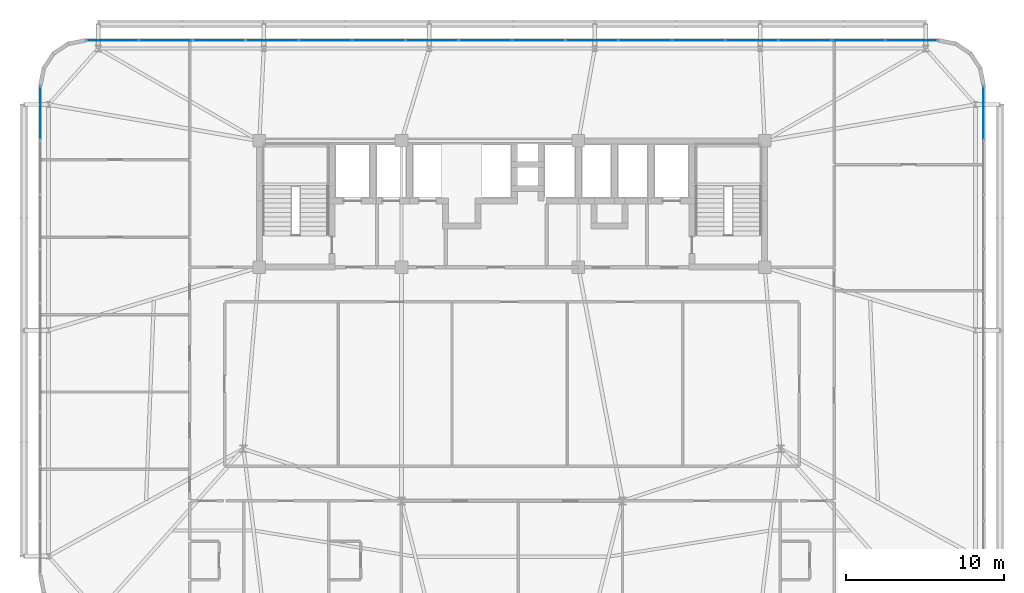
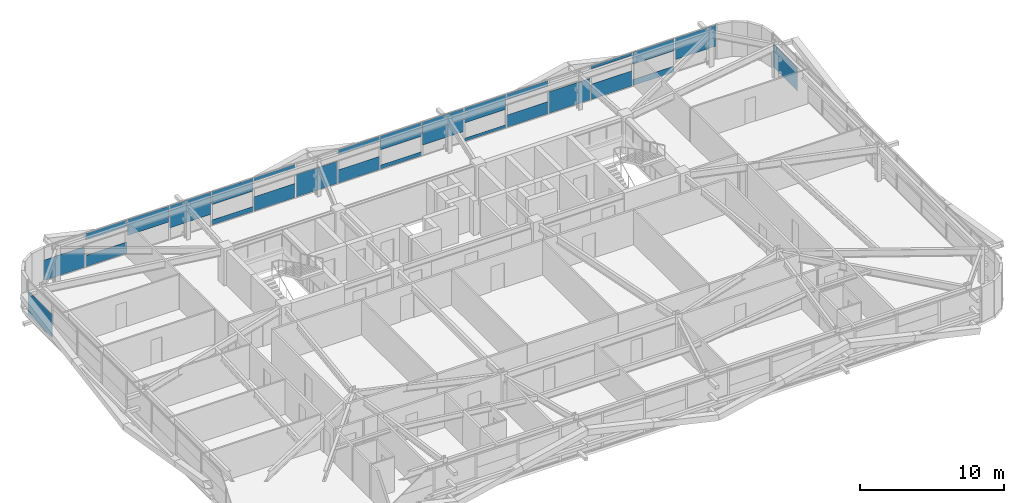
# One storey, part 43 of 58: 27 plates, 3 elements without a shape of their own.
"""IFC4 building model written with IfcOpenShell, lengths in metres."""

from ifc_helpers import new_model, si_unit, direction, frame, origin, origin_2d, place, context, subcontext, project, spatial, rectangle, extrude, source, transform, mapped, material, layer, layer_set, type_object, element, aggregate, save


model = new_model("IFC4")

# Units and contexts
model_context = context("Model", 3, precision=1e-05, world=origin(), true_north=direction((0.0, 1.0)))
body_context = subcontext(model_context, "Body", "Model", "MODEL_VIEW")
ifc_project = project(units=[si_unit("LENGTHUNIT", "METRE"), si_unit("AREAUNIT", "SQUARE_METRE"), si_unit("VOLUMEUNIT", "CUBIC_METRE"), si_unit("PLANEANGLEUNIT", "RADIAN"), si_unit("MASSUNIT", "GRAM", prefix="KILO")], contexts=[model_context])

# Site, building, storey
site_placement = place(None, origin())
site = spatial("IfcSite", under=ifc_project, at=site_placement, CompositionType="ELEMENT")
building_placement = place(site_placement, origin())
building = spatial("IfcBuilding", under=site, at=building_placement, Name="Taldren Reach Tower", CompositionType="ELEMENT")
storey_placement = place(building_placement, frame((0.0, 0.0, 32.550048828125)))
storey = spatial("IfcBuildingStorey", under=building, at=storey_placement, Name="L09", CompositionType="ELEMENT", Elevation=32.550048828125)

# Curtain wall, plates
ifc_material_1 = material(Name="Aluminium and Low-E Glass Unitised System", Category="aluminium")
ifc_layer_1 = layer(ifc_material_1, 0.159912109375)
ifc_layer_set_1 = layer_set([ifc_layer_1], Name="Aluminium and Low-E Glass Unitised System")
curtain_wall_type = type_object("IfcCurtainWallType", Name="CW-SYS-2", PredefinedType="NOTDEFINED", material=ifc_layer_set_1)
curtain_wall_1_placement = place(storey_placement, origin())
curtain_wall_1 = element("IfcCurtainWall", 1, at=curtain_wall_1_placement, inside=storey, type_object=curtain_wall_type, Name="Unitised curtain wall CW-L09-N", PredefinedType="NOTDEFINED")
ifc_material_2 = material(Name="Solar-Control Double Glazed IGU", Category="glass")
ifc_layer_2 = layer(ifc_material_2, 0.031982421875)
ifc_layer_set_2 = layer_set([ifc_layer_2], Name="Solar-Control Double Glazed IGU")
plate_type = type_object("IfcPlateType", Name="CW-PNL-IGU32", PredefinedType="CURTAIN_PANEL", material=ifc_layer_set_2)
shared_shape_1 = source(origin(), body_context, "Body", "SweptSolid", [
    extrude(rectangle(XDim=3.277587890625, YDim=0.031982421875, at=origin_2d()), origin(), (0.0, 0.0, 1.0), 1.73876953125),
])
plate_1_placement = place(storey_placement, frame((9.703857421875, 38.360107421875, 0.054931640625), z_axis=(0.0, 0.0, 1.0), x_axis=(-1.0, 0.0, 0.0)))
plate_1 = element("IfcPlate", 2, at=plate_1_placement, type_object=plate_type, Name="CW-2 panel 16.1 part 1", PredefinedType="CURTAIN_PANEL", context=body_context, shape_type="MappedRepresentation", body=[
    mapped(shared_shape_1, transform((0.0, 0.0, 0.0), scale=1.0)),
])
shared_shape_2 = source(origin(), body_context, "Body", "SweptSolid", [
    extrude(rectangle(XDim=3.31005859375, YDim=0.031982421875, at=origin_2d()), origin(), (0.0, 0.0, 1.0), 0.9560546875),
])
plate_2_placement = place(storey_placement, frame((13.0625, 38.360107421875, 0.054931640625), z_axis=(0.0, 0.0, 1.0), x_axis=(-1.0, 0.0, 0.0)))
plate_2 = element("IfcPlate", 3, at=plate_2_placement, type_object=plate_type, Name="CW-2 panel 15.1 part 1", PredefinedType="CURTAIN_PANEL", context=body_context, shape_type="MappedRepresentation", body=[
    mapped(shared_shape_2, transform((0.0, 0.0, 0.0), scale=1.0)),
])
shared_shape_3 = source(origin(), body_context, "Body", "SweptSolid", [
    extrude(rectangle(XDim=3.31005859375, YDim=0.031982421875, at=origin_2d()), origin(), (0.0, 0.0, 1.0), 0.562744140625),
])
plate_3_placement = place(storey_placement, frame((13.0625, 38.360107421875, 2.31201171875), z_axis=(0.0, 0.0, 1.0), x_axis=(-1.0, 0.0, 0.0)))
plate_3 = element("IfcPlate", 4, at=plate_3_placement, type_object=plate_type, Name="CW-2 panel 15.1 part 2", PredefinedType="CURTAIN_PANEL", context=body_context, shape_type="MappedRepresentation", body=[
    mapped(shared_shape_3, transform((0.0, 0.0, 0.0), scale=1.0)),
])
shared_shape_4 = source(origin(), body_context, "Body", "SweptSolid", [
    extrude(rectangle(XDim=3.31005859375, YDim=0.031982421875, at=origin_2d()), origin(), (0.0, 0.0, 1.0), 1.345458984375),
])
plate_4_placement = place(storey_placement, frame((16.4375, 38.360107421875, 1.529296875), z_axis=(0.0, 0.0, 1.0), x_axis=(-1.0, 0.0, 0.0)))
plate_4 = element("IfcPlate", 5, at=plate_4_placement, type_object=plate_type, Name="CW-2 panel 14.1 part 1", PredefinedType="CURTAIN_PANEL", context=body_context, shape_type="MappedRepresentation", body=[
    mapped(shared_shape_4, transform((0.0, 0.0, 0.0), scale=1.0)),
])
shared_shape_5 = source(origin(), body_context, "Body", "SweptSolid", [
    extrude(rectangle(XDim=3.31005859375, YDim=0.031982421875, at=origin_2d()), origin(), (0.0, 0.0, 1.0), 1.881103515625),
])
plate_5_placement = place(storey_placement, frame((19.8125, 38.360107421875, 0.99365234375), z_axis=(0.0, 0.0, 1.0), x_axis=(-1.0, 0.0, 0.0)))
plate_5 = element("IfcPlate", 6, at=plate_5_placement, type_object=plate_type, Name="CW-2 panel 13.1 part 1", PredefinedType="CURTAIN_PANEL", context=body_context, shape_type="MappedRepresentation", body=[
    mapped(shared_shape_5, transform((0.0, 0.0, 0.0), scale=1.0)),
])
shared_shape_6 = source(origin(), body_context, "Body", "SweptSolid", [
    extrude(rectangle(XDim=3.31005859375, YDim=0.031982421875, at=origin_2d()), origin(), (0.0, 0.0, 1.0), 0.42041015625),
])
plate_6_placement = place(storey_placement, frame((23.1875, 38.360107421875, 0.054931640625), z_axis=(0.0, 0.0, 1.0), x_axis=(-1.0, 0.0, 0.0)))
plate_6 = element("IfcPlate", 7, at=plate_6_placement, type_object=plate_type, Name="CW-2 panel 12.1 part 1", PredefinedType="CURTAIN_PANEL", context=body_context, shape_type="MappedRepresentation", body=[
    mapped(shared_shape_6, transform((0.0, 0.0, 0.0), scale=1.0)),
])
shared_shape_7 = source(origin(), body_context, "Body", "SweptSolid", [
    extrude(rectangle(XDim=3.31005859375, YDim=0.031982421875, at=origin_2d()), origin(), (0.0, 0.0, 1.0), 1.098388671875),
])
plate_7_placement = place(storey_placement, frame((23.1875, 38.360107421875, 1.7763671875), z_axis=(0.0, 0.0, 1.0), x_axis=(-1.0, 0.0, 0.0)))
plate_7 = element("IfcPlate", 8, at=plate_7_placement, type_object=plate_type, Name="CW-2 panel 12.1 part 2", PredefinedType="CURTAIN_PANEL", context=body_context, shape_type="MappedRepresentation", body=[
    mapped(shared_shape_7, transform((0.0, 0.0, 0.0), scale=1.0)),
])
shared_shape_8 = source(origin(), body_context, "Body", "SweptSolid", [
    extrude(rectangle(XDim=3.31005859375, YDim=0.031982421875, at=origin_2d()), origin(), (0.0, 0.0, 1.0), 1.203125),
])
plate_8_placement = place(storey_placement, frame((26.5625, 38.360107421875, 0.054931640625), z_axis=(0.0, 0.0, 1.0), x_axis=(-1.0, 0.0, 0.0)))
plate_8 = element("IfcPlate", 9, at=plate_8_placement, type_object=plate_type, Name="CW-2 panel 11.1 part 1", PredefinedType="CURTAIN_PANEL", context=body_context, shape_type="MappedRepresentation", body=[
    mapped(shared_shape_8, transform((0.0, 0.0, 0.0), scale=1.0)),
])
shared_shape_9 = source(origin(), body_context, "Body", "SweptSolid", [
    extrude(rectangle(XDim=3.31005859375, YDim=0.031982421875, at=origin_2d()), origin(), (0.0, 0.0, 1.0), 0.31591796875),
])
plate_9_placement = place(storey_placement, frame((26.5625, 38.360107421875, 2.55908203125), z_axis=(0.0, 0.0, 1.0), x_axis=(-1.0, 0.0, 0.0)))
plate_9 = element("IfcPlate", 10, at=plate_9_placement, type_object=plate_type, Name="CW-2 panel 11.1 part 2", PredefinedType="CURTAIN_PANEL", context=body_context, shape_type="MappedRepresentation", body=[
    mapped(shared_shape_9, transform((0.0, 0.0, 0.0), scale=1.0)),
])
shared_shape_10 = source(origin(), body_context, "Body", "SweptSolid", [
    extrude(rectangle(XDim=3.31005859375, YDim=0.031982421875, at=origin_2d()), origin(), (0.0, 0.0, 1.0), 1.9033203125),
])
plate_10_placement = place(storey_placement, frame((29.9375, 38.360107421875, 0.054931640625), z_axis=(0.0, 0.0, 1.0), x_axis=(-1.0, 0.0, 0.0)))
plate_10 = element("IfcPlate", 11, at=plate_10_placement, type_object=plate_type, Name="CW-2 panel 10.1 part 1", PredefinedType="CURTAIN_PANEL", context=body_context, shape_type="MappedRepresentation", body=[
    mapped(shared_shape_10, transform((0.0, 0.0, 0.0), scale=1.0)),
])
shared_shape_11 = source(origin(), body_context, "Body", "SweptSolid", [
    extrude(rectangle(XDim=3.31005859375, YDim=0.031982421875, at=origin_2d()), origin(), (0.0, 0.0, 1.0), 1.120849609375),
])
plate_11_placement = place(storey_placement, frame((33.3125, 38.360107421875, 0.0546875), z_axis=(0.0, 0.0, 1.0), x_axis=(-1.0, 0.0, 0.0)))
plate_11 = element("IfcPlate", 12, at=plate_11_placement, type_object=plate_type, Name="CW-2 panel 9.1 part 1", PredefinedType="CURTAIN_PANEL", context=body_context, shape_type="MappedRepresentation", body=[
    mapped(shared_shape_11, transform((0.0, 0.0, 0.0), scale=1.0)),
])
shared_shape_12 = source(origin(), body_context, "Body", "SweptSolid", [
    extrude(rectangle(XDim=3.31005859375, YDim=0.031982421875, at=origin_2d()), origin(), (0.0, 0.0, 1.0), 0.398193359375),
])
plate_12_placement = place(storey_placement, frame((33.3125, 38.360107421875, 2.4765625), z_axis=(0.0, 0.0, 1.0), x_axis=(-1.0, 0.0, 0.0)))
plate_12 = element("IfcPlate", 13, at=plate_12_placement, type_object=plate_type, Name="CW-2 panel 9.1 part 2", PredefinedType="CURTAIN_PANEL", context=body_context, shape_type="MappedRepresentation", body=[
    mapped(shared_shape_12, transform((0.0, 0.0, 0.0), scale=1.0)),
])
shared_shape_13 = source(origin(), body_context, "Body", "SweptSolid", [
    extrude(rectangle(XDim=3.31005859375, YDim=0.031982421875, at=origin_2d()), origin(), (0.0, 0.0, 1.0), 0.338134765625),
])
plate_13_placement = place(storey_placement, frame((36.6875, 38.360107421875, 0.05517578125), z_axis=(0.0, 0.0, 1.0), x_axis=(-1.0, 0.0, 0.0)))
plate_13 = element("IfcPlate", 14, at=plate_13_placement, type_object=plate_type, Name="CW-2 panel 8.1 part 1", PredefinedType="CURTAIN_PANEL", context=body_context, shape_type="MappedRepresentation", body=[
    mapped(shared_shape_13, transform((0.0, 0.0, 0.0), scale=1.0)),
])
shared_shape_14 = source(origin(), body_context, "Body", "SweptSolid", [
    extrude(rectangle(XDim=3.31005859375, YDim=0.031982421875, at=origin_2d()), origin(), (0.0, 0.0, 1.0), 1.1806640625),
])
plate_14_placement = place(storey_placement, frame((36.6875, 38.360107421875, 1.6943359375), z_axis=(0.0, 0.0, 1.0), x_axis=(-1.0, 0.0, 0.0)))
plate_14 = element("IfcPlate", 15, at=plate_14_placement, type_object=plate_type, Name="CW-2 panel 8.1 part 2", PredefinedType="CURTAIN_PANEL", context=body_context, shape_type="MappedRepresentation", body=[
    mapped(shared_shape_14, transform((0.0, 0.0, 0.0), scale=1.0)),
])
shared_shape_15 = source(origin(), body_context, "Body", "SweptSolid", [
    extrude(rectangle(XDim=3.31005859375, YDim=0.031982421875, at=origin_2d()), origin(), (0.0, 0.0, 1.0), 1.96337890625),
])
plate_15_placement = place(storey_placement, frame((40.0625, 38.360107421875, 0.91162109375), z_axis=(0.0, 0.0, 1.0), x_axis=(-1.0, 0.0, 0.0)))
plate_15 = element("IfcPlate", 16, at=plate_15_placement, type_object=plate_type, Name="CW-2 panel 7.1 part 1", PredefinedType="CURTAIN_PANEL", context=body_context, shape_type="MappedRepresentation", body=[
    mapped(shared_shape_15, transform((0.0, 0.0, 0.0), scale=1.0)),
])
shared_shape_16 = source(origin(), body_context, "Body", "SweptSolid", [
    extrude(rectangle(XDim=3.31005859375, YDim=0.031982421875, at=origin_2d()), origin(), (0.0, 0.0, 1.0), 0.255859375),
])
plate_16_placement = place(storey_placement, frame((43.4375, 38.360107421875, 0.054931640625), z_axis=(0.0, 0.0, 1.0), x_axis=(-1.0, 0.0, 0.0)))
plate_16 = element("IfcPlate", 17, at=plate_16_placement, type_object=plate_type, Name="CW-2 panel 6.1 part 1", PredefinedType="CURTAIN_PANEL", context=body_context, shape_type="MappedRepresentation", body=[
    mapped(shared_shape_16, transform((0.0, 0.0, 0.0), scale=1.0)),
])
shared_shape_17 = source(origin(), body_context, "Body", "SweptSolid", [
    extrude(rectangle(XDim=3.31005859375, YDim=0.031982421875, at=origin_2d()), origin(), (0.0, 0.0, 1.0), 1.26318359375),
])
plate_17_placement = place(storey_placement, frame((43.4375, 38.360107421875, 1.61181640625), z_axis=(0.0, 0.0, 1.0), x_axis=(-1.0, 0.0, 0.0)))
plate_17 = element("IfcPlate", 18, at=plate_17_placement, type_object=plate_type, Name="CW-2 panel 6.1 part 2", PredefinedType="CURTAIN_PANEL", context=body_context, shape_type="MappedRepresentation", body=[
    mapped(shared_shape_17, transform((0.0, 0.0, 0.0), scale=1.0)),
])
shared_shape_18 = source(origin(), body_context, "Body", "SweptSolid", [
    extrude(rectangle(XDim=3.31005859375, YDim=0.031982421875, at=origin_2d()), origin(), (0.0, 0.0, 1.0), 1.03857421875),
])
plate_18_placement = place(storey_placement, frame((46.8125, 38.360107421875, 0.054931640625), z_axis=(0.0, 0.0, 1.0), x_axis=(-1.0, 0.0, 0.0)))
plate_18 = element("IfcPlate", 19, at=plate_18_placement, type_object=plate_type, Name="CW-2 panel 5.1 part 1", PredefinedType="CURTAIN_PANEL", context=body_context, shape_type="MappedRepresentation", body=[
    mapped(shared_shape_18, transform((0.0, 0.0, 0.0), scale=1.0)),
])
shared_shape_19 = source(origin(), body_context, "Body", "SweptSolid", [
    extrude(rectangle(XDim=3.31005859375, YDim=0.031982421875, at=origin_2d()), origin(), (0.0, 0.0, 1.0), 0.48046875),
])
plate_19_placement = place(storey_placement, frame((46.8125, 38.360107421875, 2.39453125), z_axis=(0.0, 0.0, 1.0), x_axis=(-1.0, 0.0, 0.0)))
plate_19 = element("IfcPlate", 20, at=plate_19_placement, type_object=plate_type, Name="CW-2 panel 5.1 part 2", PredefinedType="CURTAIN_PANEL", context=body_context, shape_type="MappedRepresentation", body=[
    mapped(shared_shape_19, transform((0.0, 0.0, 0.0), scale=1.0)),
])
shared_shape_20 = source(origin(), body_context, "Body", "SweptSolid", [
    extrude(rectangle(XDim=3.31005859375, YDim=0.031982421875, at=origin_2d()), origin(), (0.0, 0.0, 1.0), 1.821044921875),
])
plate_20_placement = place(storey_placement, frame((50.1875, 38.360107421875, 0.05517578125), z_axis=(0.0, 0.0, 1.0), x_axis=(-1.0, 0.0, 0.0)))
plate_20 = element("IfcPlate", 21, at=plate_20_placement, type_object=plate_type, Name="CW-2 panel 4.1 part 1", PredefinedType="CURTAIN_PANEL", context=body_context, shape_type="MappedRepresentation", body=[
    mapped(shared_shape_20, transform((0.0, 0.0, 0.0), scale=1.0)),
])
shared_shape_21 = source(origin(), body_context, "Body", "SweptSolid", [
    extrude(rectangle(XDim=3.31005859375, YDim=0.031982421875, at=origin_2d()), origin(), (0.0, 0.0, 1.0), 1.285400390625),
])
plate_21_placement = place(storey_placement, frame((53.5625, 38.360107421875, 0.05517578125), z_axis=(0.0, 0.0, 1.0), x_axis=(-1.0, 0.0, 0.0)))
plate_21 = element("IfcPlate", 22, at=plate_21_placement, type_object=plate_type, Name="CW-2 panel 3.1 part 1", PredefinedType="CURTAIN_PANEL", context=body_context, shape_type="MappedRepresentation", body=[
    mapped(shared_shape_21, transform((0.0, 0.0, 0.0), scale=1.0)),
])
shared_shape_22 = source(origin(), body_context, "Body", "SweptSolid", [
    extrude(rectangle(XDim=3.31005859375, YDim=0.031982421875, at=origin_2d()), origin(), (0.0, 0.0, 1.0), 0.233642578125),
])
plate_22_placement = place(storey_placement, frame((53.5625, 38.360107421875, 2.64111328125), z_axis=(0.0, 0.0, 1.0), x_axis=(-1.0, 0.0, 0.0)))
plate_22 = element("IfcPlate", 23, at=plate_22_placement, type_object=plate_type, Name="CW-2 panel 3.1 part 2", PredefinedType="CURTAIN_PANEL", context=body_context, shape_type="MappedRepresentation", body=[
    mapped(shared_shape_22, transform((0.0, 0.0, 0.0), scale=1.0)),
])
shared_shape_23 = source(origin(), body_context, "Body", "SweptSolid", [
    extrude(rectangle(XDim=3.31005859375, YDim=0.031982421875, at=origin_2d()), origin(), (0.0, 0.0, 1.0), 0.5029296875),
])
plate_23_placement = place(storey_placement, frame((56.9375, 38.360107421875, 0.054931640625), z_axis=(0.0, 0.0, 1.0), x_axis=(-1.0, 0.0, 0.0)))
plate_23 = element("IfcPlate", 24, at=plate_23_placement, type_object=plate_type, Name="CW-2 panel 2.1 part 1", PredefinedType="CURTAIN_PANEL", context=body_context, shape_type="MappedRepresentation", body=[
    mapped(shared_shape_23, transform((0.0, 0.0, 0.0), scale=1.0)),
])
shared_shape_24 = source(origin(), body_context, "Body", "SweptSolid", [
    extrude(rectangle(XDim=3.31005859375, YDim=0.031982421875, at=origin_2d()), origin(), (0.0, 0.0, 1.0), 1.01611328125),
])
plate_24_placement = place(storey_placement, frame((56.9375, 38.360107421875, 1.85888671875), z_axis=(0.0, 0.0, 1.0), x_axis=(-1.0, 0.0, 0.0)))
plate_24 = element("IfcPlate", 25, at=plate_24_placement, type_object=plate_type, Name="CW-2 panel 2.1 part 2", PredefinedType="CURTAIN_PANEL", context=body_context, shape_type="MappedRepresentation", body=[
    mapped(shared_shape_24, transform((0.0, 0.0, 0.0), scale=1.0)),
])
shared_shape_25 = source(origin(), body_context, "Body", "SweptSolid", [
    extrude(rectangle(XDim=3.277587890625, YDim=0.031982421875, at=origin_2d()), origin(), (0.0, 0.0, 1.0), 1.798583984375),
])
plate_25_placement = place(storey_placement, frame((60.296142578125, 38.360107421875, 1.076171875), z_axis=(0.0, 0.0, 1.0), x_axis=(-1.0, 0.0, 0.0)))
plate_25 = element("IfcPlate", 26, at=plate_25_placement, type_object=plate_type, Name="CW-2 panel 1.1 part 1", PredefinedType="CURTAIN_PANEL", context=body_context, shape_type="MappedRepresentation", body=[
    mapped(shared_shape_25, transform((0.0, 0.0, 0.0), scale=1.0)),
])
aggregate(curtain_wall_1, [plate_25, plate_23, plate_24, plate_21, plate_22, plate_20, plate_18, plate_19, plate_16, plate_17, plate_15, plate_13, plate_14, plate_11, plate_12, plate_10, plate_8, plate_9, plate_6, plate_7, plate_5, plate_4, plate_2, plate_3, plate_1])

# Curtain wall, plate
curtain_wall_2_placement = place(storey_placement, origin())
curtain_wall_2 = element("IfcCurtainWall", 27, at=curtain_wall_2_placement, inside=storey, type_object=curtain_wall_type, Name="Unitised curtain wall CW-L09-W", PredefinedType="NOTDEFINED")
shared_shape_26 = source(origin(), body_context, "Body", "SweptSolid", [
    extrude(rectangle(XDim=3.346923828125, YDim=0.031982421875, at=origin_2d()), origin(), (0.0, 0.0, 1.0), 1.95556640625),
])
plate_26_placement = place(storey_placement, frame((5.139892578125, 33.761474609375, 0.054931640625), z_axis=(0.0, 0.0, 1.0), x_axis=(0.0, -1.0, 0.0)))
plate_26 = element("IfcPlate", 28, at=plate_26_placement, type_object=plate_type, Name="CW-2 panel 1.1 part 1", PredefinedType="CURTAIN_PANEL", context=body_context, shape_type="MappedRepresentation", body=[
    mapped(shared_shape_26, transform((0.0, 0.0, 0.0), scale=1.0)),
])
aggregate(curtain_wall_2, [plate_26])

curtain_wall_3_placement = place(storey_placement, origin())
curtain_wall_3 = element("IfcCurtainWall", 29, at=curtain_wall_3_placement, inside=storey, type_object=curtain_wall_type, Name="Unitised curtain wall CW-L09-E", PredefinedType="NOTDEFINED")
plate_27_placement = place(storey_placement, frame((64.860107421875, 33.761474609375, 0.054931640625), z_axis=(0.0, 0.0, 1.0), x_axis=(0.0, 1.0, 0.0)))
plate_27 = element("IfcPlate", 30, at=plate_27_placement, type_object=plate_type, Name="CW-2 panel 9.1 part 1", PredefinedType="CURTAIN_PANEL", context=body_context, shape_type="MappedRepresentation", body=[
    mapped(shared_shape_26, transform((0.0, 0.0, 0.0), scale=1.0)),
])
aggregate(curtain_wall_3, [plate_27])

save(model, "model.ifc")
